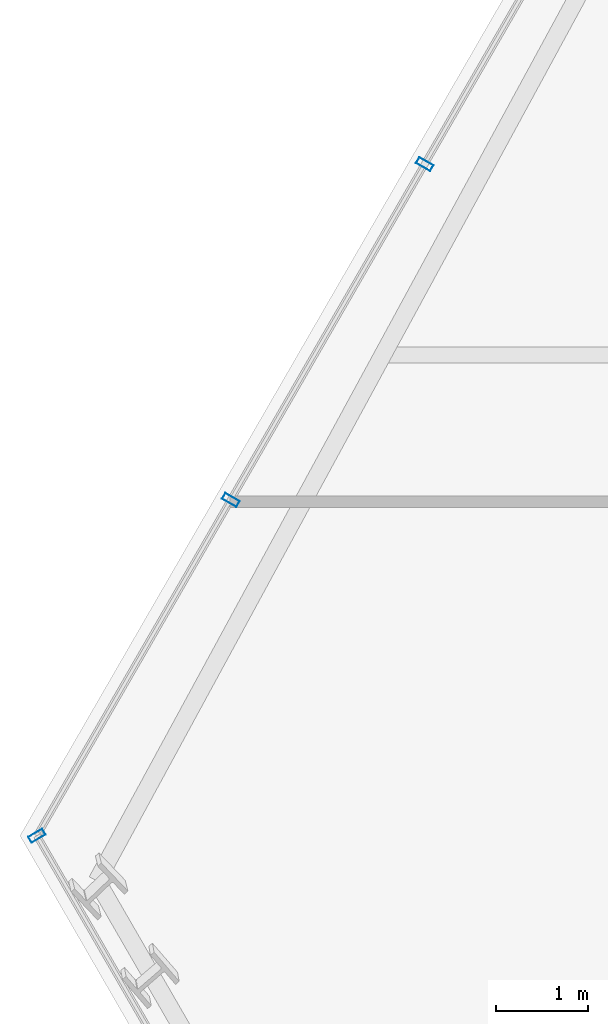
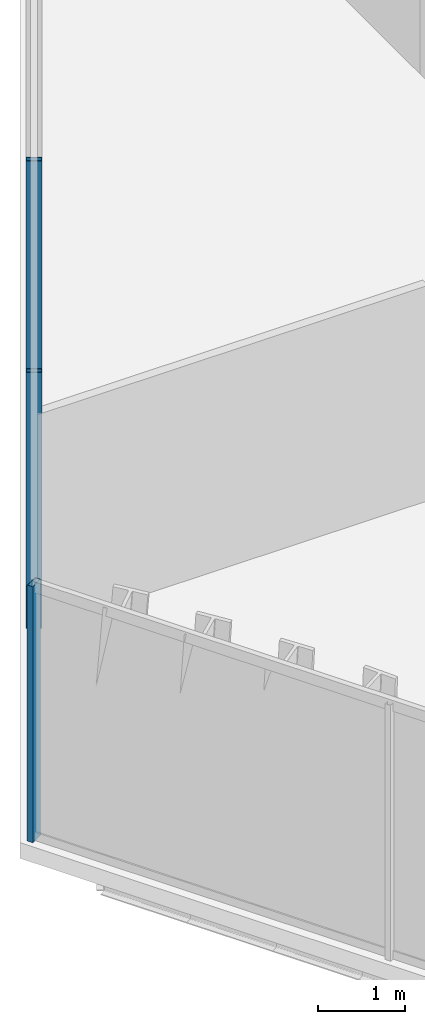
# One storey, part 4 of 33: 3 members, 2 elements without a shape of their own.
"""IFC4 building model written with IfcOpenShell, lengths in metres."""

from ifc_helpers import new_model, si_unit, direction, frame, origin, origin_2d, place, context, subcontext, project, spatial, hollow_rectangle, extrude, material, layer, layer_set, material_profile, profile_set, type_object, element, aggregate, save


model = new_model("IFC4")

# Units and contexts
model_context = context("Model", 3, precision=1e-05, world=origin(), true_north=direction((0.0, 1.0)))
body_context = subcontext(model_context, "Body", "Model", "MODEL_VIEW")
ifc_project = project(units=[si_unit("LENGTHUNIT", "METRE"), si_unit("AREAUNIT", "SQUARE_METRE"), si_unit("VOLUMEUNIT", "CUBIC_METRE"), si_unit("PLANEANGLEUNIT", "RADIAN"), si_unit("MASSUNIT", "GRAM", prefix="KILO")], contexts=[model_context])

# Site, building, storey
site_placement = place(None, origin())
site = spatial("IfcSite", under=ifc_project, at=site_placement, CompositionType="ELEMENT")
building_placement = place(site_placement, origin())
building = spatial("IfcBuilding", under=site, at=building_placement, Name="Ndaravel Arena Tower", CompositionType="ELEMENT")
storey_placement = place(building_placement, frame((0.0, 0.0, 187.800048828125)))
storey = spatial("IfcBuildingStorey", under=building, at=storey_placement, Name="L45", CompositionType="ELEMENT", Elevation=187.800048828125)

# Curtain wall, members
ifc_material_1 = material(Name="Aluminium", Category="aluminium")
ifc_layer_1 = layer(ifc_material_1, 0.179931640625)
ifc_layer_set_1 = layer_set([ifc_layer_1], Name="Aluminium")
curtain_wall_type_1 = type_object("IfcCurtainWallType", Name="CW-SYS-03", PredefinedType="NOTDEFINED", material=ifc_layer_set_1)
curtain_wall_1_placement = place(storey_placement, origin())
curtain_wall_1 = element("IfcCurtainWall", 1, at=curtain_wall_1_placement, inside=storey, type_object=curtain_wall_type_1, Name="L45 Faceted Crystal Curtain Wall CW-L45-E05", PredefinedType="NOTDEFINED")
ifc_material_2 = material(Name="Aluminium", Category="aluminium")
ifc_material_profile = material_profile(ifc_material_2, hollow_rectangle(XDim=0.074951171875, YDim=0.179931640625, WallThickness=0.00390625, at=origin_2d()), Name="CW MULLION 75x180x4")
ifc_profile_set = profile_set([ifc_material_profile], Name="Aluminium")
member_type = type_object("IfcMemberType", Name="MEM-CW-MUL180", PredefinedType="MULLION", material=ifc_profile_set)
member_1_placement = place(storey_placement, frame((22.4775390625, 20.677978515625, 0.0), z_axis=(0.0, 0.0, 1.0), x_axis=(-0.5, -0.866025403784, 0.0)))
member_1 = element("IfcMember", 2, at=member_1_placement, type_object=member_type, Name="CW-L45-E05 Mullion 07", PredefinedType="MULLION", context=body_context, shape_type="SweptSolid", body=[
    extrude(hollow_rectangle(XDim=0.074951171875, YDim=0.179931640625, WallThickness=0.00390625, at=origin_2d()), origin(), (0.0, 0.0, 1.0), 3.579833984375),
])
member_2_placement = place(storey_placement, frame((20.364990234375, 17.0185546875, 0.0), z_axis=(0.0, 0.0, 1.0), x_axis=(-0.5, -0.866025403784, 0.0)))
member_2 = element("IfcMember", 3, at=member_2_placement, type_object=member_type, Name="CW-L45-E05 Mullion 08", PredefinedType="MULLION", context=body_context, shape_type="SweptSolid", body=[
    extrude(hollow_rectangle(XDim=0.074951171875, YDim=0.179931640625, WallThickness=0.00390625, at=origin_2d()), origin(), (0.0, 0.0, 1.0), 3.579833984375),
])
aggregate(curtain_wall_1, [member_1, member_2])

# Curtain wall, member
ifc_material_3 = material(Name="Aluminium", Category="aluminium")
ifc_layer_2 = layer(ifc_material_3, 0.179931640625)
ifc_layer_set_2 = layer_set([ifc_layer_2], Name="Aluminium")
curtain_wall_type_2 = type_object("IfcCurtainWallType", Name="CW-SYS-02", PredefinedType="NOTDEFINED", material=ifc_layer_set_2)
curtain_wall_2_placement = place(storey_placement, origin())
curtain_wall_2 = element("IfcCurtainWall", 4, at=curtain_wall_2_placement, inside=storey, type_object=curtain_wall_type_2, Name="L45 Faceted Crystal Curtain Wall CW-L45-E06", PredefinedType="NOTDEFINED")
member_3_placement = place(storey_placement, frame((18.252197265625, 13.359375, 0.0), z_axis=(0.0, 0.0, 1.0), x_axis=(0.5, -0.866025403784, 0.0)))
member_3 = element("IfcMember", 5, at=member_3_placement, type_object=member_type, Name="CW-L45-E06 Mullion 00", PredefinedType="MULLION", context=body_context, shape_type="SweptSolid", body=[
    extrude(hollow_rectangle(XDim=0.074951171875, YDim=0.179931640625, WallThickness=0.00390625, at=origin_2d()), origin(), (0.0, 0.0, 1.0), 3.579833984375),
])
aggregate(curtain_wall_2, [member_3])

save(model, "model.ifc")
